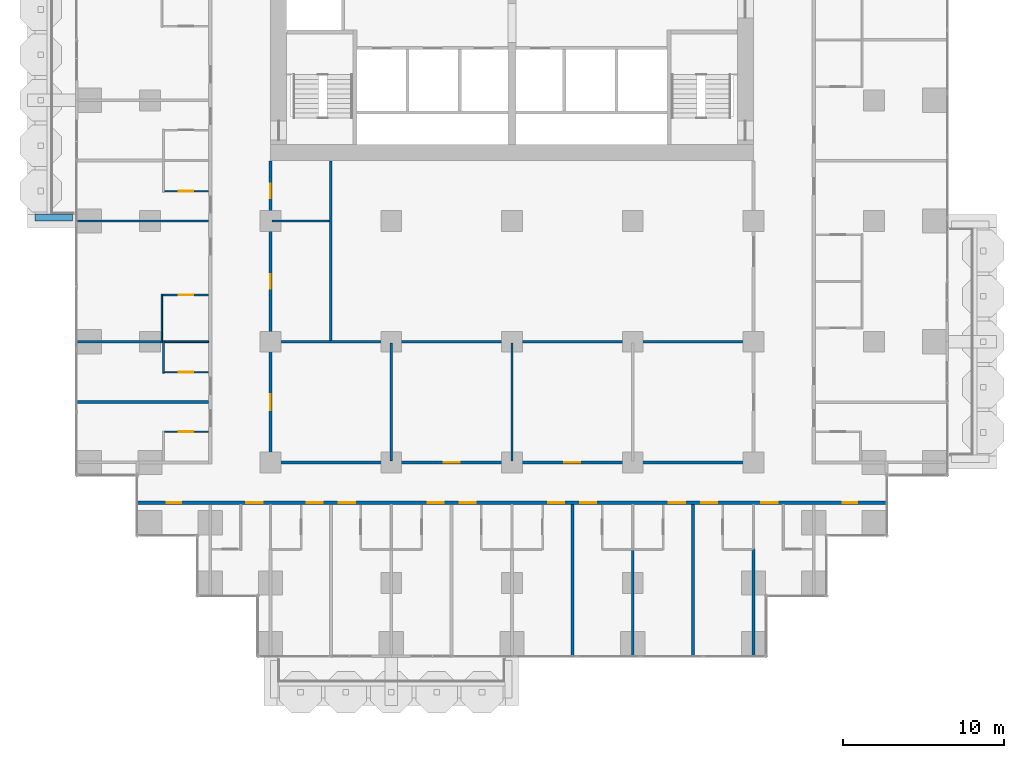
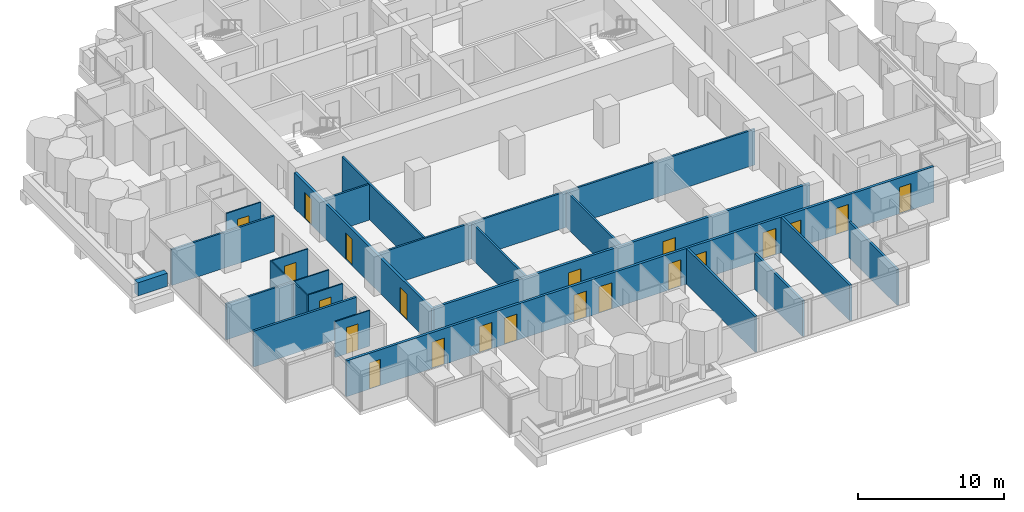
# One storey, part 11 of 19: 23 walls, 21 doors, 21 openings.
"""IFC4 building model written with IfcOpenShell, lengths in metres."""

from ifc_helpers import new_model, si_unit, direction, frame, frame_2d, origin, place, context, subcontext, project, spatial, rectangle, extrude, material, layer, layer_set, type_object, element, fill, save


model = new_model("IFC4")

# Units and contexts
model_context = context("Model", 3, precision=1e-05, world=origin(), true_north=direction((0.0, 1.0)))
body_context = subcontext(model_context, "Body", "Model", "MODEL_VIEW")
ifc_project = project(units=[si_unit("LENGTHUNIT", "METRE"), si_unit("AREAUNIT", "SQUARE_METRE"), si_unit("VOLUMEUNIT", "CUBIC_METRE"), si_unit("PLANEANGLEUNIT", "RADIAN"), si_unit("MASSUNIT", "GRAM", prefix="KILO")], contexts=[model_context])

# Site, building, storey
site_placement = place(None, origin())
site = spatial("IfcSite", under=ifc_project, at=site_placement, CompositionType="ELEMENT")
building_placement = place(site_placement, origin())
building = spatial("IfcBuilding", under=site, at=building_placement, Name="Pilkhan Gate Tower", CompositionType="ELEMENT")
storey_placement = place(building_placement, frame((0.0, 0.0, 89.0)))
storey = spatial("IfcBuildingStorey", under=building, at=storey_placement, Name="L21", CompositionType="ELEMENT", Elevation=89.0)

# Walls
ifc_material_1 = material(Name="Dense blockwork", Category="masonry")
ifc_layer_1 = layer(ifc_material_1, 0.175048828125)
ifc_layer_set_1 = layer_set([ifc_layer_1], Name="Acoustic party wall PW175")
wall_type_1 = type_object("IfcWallType", Name="Acoustic party wall PW175", PredefinedType="PARTITIONING", material=ifc_layer_set_1)
wall_1_placement = place(storey_placement, frame((47.985107421875, 56.25, 0.0), z_axis=(0.0, 0.0, 1.0), x_axis=(1.0, 0.0, 0.0)))
element("IfcWall", 1, at=wall_1_placement, inside=storey, type_object=wall_type_1, Name="Partition L21", PredefinedType="PARTITIONING", context=body_context, shape_type="SweptSolid", body=[
    extrude(rectangle(XDim=8.164794921875, YDim=0.175048828125, at=frame_2d((4.08251953125, 0.0))), origin(), (0.0, 0.0, 1.0), 3.0),
])
wall_2_placement = place(storey_placement, frame((78.75, 40.485107421875, 0.0), z_axis=(0.0, 0.0, 1.0), x_axis=(0.0, 1.0, 0.0)))
element("IfcWall", 2, at=wall_2_placement, inside=storey, type_object=wall_type_1, Name="Partition L21", PredefinedType="PARTITIONING", context=body_context, shape_type="SweptSolid", body=[
    extrude(rectangle(XDim=9.414794921875, YDim=0.175048828125, at=frame_2d((4.70751953125, 0.0))), origin(), (0.0, 0.0, 1.0), 3.0),
])
wall_3_placement = place(storey_placement, frame((82.5, 40.485107421875, 0.0), z_axis=(0.0, 0.0, 1.0), x_axis=(0.0, 1.0, 0.0)))
element("IfcWall", 3, at=wall_3_placement, inside=storey, type_object=wall_type_1, Name="Partition L21", PredefinedType="PARTITIONING", context=body_context, shape_type="SweptSolid", body=[
    extrude(rectangle(XDim=6.56494140625, YDim=0.175048828125, at=frame_2d((3.282470703125, 0.0))), origin(), (0.0, 0.0, 1.0), 3.0),
])
wall_4_placement = place(storey_placement, frame((86.25, 40.485107421875, 0.0), z_axis=(0.0, 0.0, 1.0), x_axis=(0.0, 1.0, 0.0)))
element("IfcWall", 4, at=wall_4_placement, inside=storey, type_object=wall_type_1, Name="Partition L21", PredefinedType="PARTITIONING", context=body_context, shape_type="SweptSolid", body=[
    extrude(rectangle(XDim=9.414794921875, YDim=0.175048828125, at=frame_2d((4.70751953125, 0.0))), origin(), (0.0, 0.0, 1.0), 3.0),
])
wall_5_placement = place(storey_placement, frame((90.0, 40.485107421875, 0.0), z_axis=(0.0, 0.0, 1.0), x_axis=(0.0, 1.0, 0.0)))
element("IfcWall", 5, at=wall_5_placement, inside=storey, type_object=wall_type_1, Name="Partition L21", PredefinedType="PARTITIONING", context=body_context, shape_type="SweptSolid", body=[
    extrude(rectangle(XDim=6.664794921875, YDim=0.175048828125, at=frame_2d((3.33251953125, 0.0))), origin(), (0.0, 0.0, 1.0), 3.0),
])
ifc_material_2 = material(Name="Board-marked Concrete C40/50", Category="concrete")
ifc_layer_2 = layer(ifc_material_2, 0.449951171875)
ifc_layer_set_2 = layer_set([ifc_layer_2], Name="Balcony planter lip BL450")
wall_type_2 = type_object("IfcWallType", Name="Balcony planter lip BL450", PredefinedType="USERDEFINED", material=ifc_layer_set_2)
wall_6_placement = place(storey_placement, frame((47.699951171875, 67.72509765625, 0.0), z_axis=(0.0, 0.0, 1.0), x_axis=(-1.0, 0.0, 0.0)))
element("IfcWall", 6, at=wall_6_placement, inside=storey, type_object=wall_type_2, Name="Balcony planter L21 W", ObjectType="BALCONY PLANTER", PredefinedType="USERDEFINED", context=body_context, shape_type="SweptSolid", body=[
    extrude(rectangle(XDim=2.349853515625, YDim=0.449951171875, at=frame_2d((1.1748046875, 0.0))), origin(), (0.0, 0.0, 1.0), 1.10009765625),
])

# Wall, openings, doors
ifc_layer_3 = layer(ifc_material_1, 0.199951171875)
ifc_layer_set_3 = layer_set([ifc_layer_3], Name="Corridor wall FW200")
wall_type_3 = type_object("IfcWallType", Name="Corridor wall FW200", PredefinedType="PARTITIONING", material=ifc_layer_set_3)
wall_7_placement = place(storey_placement, frame((51.735107421875, 50.0, 0.0), z_axis=(0.0, 0.0, 1.0), x_axis=(1.0, 0.0, 0.0)))
wall_7 = element("IfcWall", 7, at=wall_7_placement, inside=storey, type_object=wall_type_3, Name="Partition L21", PredefinedType="PARTITIONING", context=body_context, shape_type="SweptSolid", body=[
    extrude(rectangle(XDim=46.52978515625, YDim=0.199951171875, at=frame_2d((23.264892578125, 0.0))), origin(), (0.0, 0.0, 1.0), 3.0),
])
opening_1_placement = place(wall_7_placement, frame((6.764892578125, 0.0, 0.0)))
opening_1 = element("IfcOpeningElement", 8, at=opening_1_placement, cuts=wall_7, Name="Opening L21-06", PredefinedType="OPENING", context=body_context, shape_type="SweptSolid", body=[
    extrude(rectangle(XDim=1.0, YDim=2.199951171875, at=frame_2d((0.5, 1.10009765625))), frame((0.0, 0.10986328125, 0.0), z_axis=(0.0, -1.0, 0.0), x_axis=(1.0, 0.0, 0.0)), (0.0, 0.0, 1.0), 0.219970703125),
])
opening_2_placement = place(wall_7_placement, frame((10.514892578125, 0.0, 0.0)))
opening_2 = element("IfcOpeningElement", 9, at=opening_2_placement, cuts=wall_7, Name="Opening L21-08", PredefinedType="OPENING", context=body_context, shape_type="SweptSolid", body=[
    extrude(rectangle(XDim=1.0, YDim=2.199951171875, at=frame_2d((0.5, 1.10009765625))), frame((0.0, 0.10986328125, 0.0), z_axis=(0.0, -1.0, 0.0), x_axis=(1.0, 0.0, 0.0)), (0.0, 0.0, 1.0), 0.219970703125),
])
opening_3_placement = place(wall_7_placement, frame((12.514892578125, 0.0, 0.0)))
opening_3 = element("IfcOpeningElement", 10, at=opening_3_placement, cuts=wall_7, Name="Opening L21-10", PredefinedType="OPENING", context=body_context, shape_type="SweptSolid", body=[
    extrude(rectangle(XDim=1.0, YDim=2.199951171875, at=frame_2d((0.5, 1.10009765625))), frame((0.0, 0.10986328125, 0.0), z_axis=(0.0, -1.0, 0.0), x_axis=(1.0, 0.0, 0.0)), (0.0, 0.0, 1.0), 0.219970703125),
])
opening_4_placement = place(wall_7_placement, frame((18.014892578125, 0.0, 0.0)))
opening_4 = element("IfcOpeningElement", 11, at=opening_4_placement, cuts=wall_7, Name="Opening L21-12", PredefinedType="OPENING", context=body_context, shape_type="SweptSolid", body=[
    extrude(rectangle(XDim=1.0, YDim=2.199951171875, at=frame_2d((0.5, 1.10009765625))), frame((0.0, 0.10986328125, 0.0), z_axis=(0.0, -1.0, 0.0), x_axis=(1.0, 0.0, 0.0)), (0.0, 0.0, 1.0), 0.219970703125),
])
opening_5_placement = place(wall_7_placement, frame((20.014892578125, 0.0, 0.0)))
opening_5 = element("IfcOpeningElement", 12, at=opening_5_placement, cuts=wall_7, Name="Opening L21-14", PredefinedType="OPENING", context=body_context, shape_type="SweptSolid", body=[
    extrude(rectangle(XDim=1.0, YDim=2.199951171875, at=frame_2d((0.5, 1.10009765625))), frame((0.0, 0.10986328125, 0.0), z_axis=(0.0, -1.0, 0.0), x_axis=(1.0, 0.0, 0.0)), (0.0, 0.0, 1.0), 0.219970703125),
])
opening_6_placement = place(wall_7_placement, frame((25.514892578125, 0.0, 0.0)))
opening_6 = element("IfcOpeningElement", 13, at=opening_6_placement, cuts=wall_7, Name="Opening L21-16", PredefinedType="OPENING", context=body_context, shape_type="SweptSolid", body=[
    extrude(rectangle(XDim=1.0, YDim=2.199951171875, at=frame_2d((0.5, 1.10009765625))), frame((0.0, 0.10986328125, 0.0), z_axis=(0.0, -1.0, 0.0), x_axis=(1.0, 0.0, 0.0)), (0.0, 0.0, 1.0), 0.219970703125),
])
opening_7_placement = place(wall_7_placement, frame((27.514892578125, 0.0, 0.0)))
opening_7 = element("IfcOpeningElement", 14, at=opening_7_placement, cuts=wall_7, Name="Opening L21-18", PredefinedType="OPENING", context=body_context, shape_type="SweptSolid", body=[
    extrude(rectangle(XDim=1.0, YDim=2.199951171875, at=frame_2d((0.5, 1.10009765625))), frame((0.0, 0.10986328125, 0.0), z_axis=(0.0, -1.0, 0.0), x_axis=(1.0, 0.0, 0.0)), (0.0, 0.0, 1.0), 0.219970703125),
])
opening_8_placement = place(wall_7_placement, frame((33.014892578125, 0.0, 0.0)))
opening_8 = element("IfcOpeningElement", 15, at=opening_8_placement, cuts=wall_7, Name="Opening L21-20", PredefinedType="OPENING", context=body_context, shape_type="SweptSolid", body=[
    extrude(rectangle(XDim=1.0, YDim=2.199951171875, at=frame_2d((0.5, 1.10009765625))), frame((0.0, 0.10986328125, 0.0), z_axis=(0.0, -1.0, 0.0), x_axis=(1.0, 0.0, 0.0)), (0.0, 0.0, 1.0), 0.219970703125),
])
opening_9_placement = place(wall_7_placement, frame((35.014892578125, 0.0, 0.0)))
opening_9 = element("IfcOpeningElement", 16, at=opening_9_placement, cuts=wall_7, Name="Opening L21-22", PredefinedType="OPENING", context=body_context, shape_type="SweptSolid", body=[
    extrude(rectangle(XDim=1.0, YDim=2.199951171875, at=frame_2d((0.5, 1.10009765625))), frame((0.0, 0.10986328125, 0.0), z_axis=(0.0, -1.0, 0.0), x_axis=(1.0, 0.0, 0.0)), (0.0, 0.0, 1.0), 0.219970703125),
])
opening_10_placement = place(wall_7_placement, frame((38.764892578125, 0.0, 0.0)))
opening_10 = element("IfcOpeningElement", 17, at=opening_10_placement, cuts=wall_7, Name="Opening L21-24", PredefinedType="OPENING", context=body_context, shape_type="SweptSolid", body=[
    extrude(rectangle(XDim=1.0, YDim=2.199951171875, at=frame_2d((0.5, 1.10009765625))), frame((0.0, 0.10986328125, 0.0), z_axis=(0.0, -1.0, 0.0), x_axis=(1.0, 0.0, 0.0)), (0.0, 0.0, 1.0), 0.219970703125),
])
opening_11_placement = place(wall_7_placement, frame((1.800048828125, 0.0, 0.0)))
opening_11 = element("IfcOpeningElement", 18, at=opening_11_placement, cuts=wall_7, Name="Opening L21-54", PredefinedType="OPENING", context=body_context, shape_type="SweptSolid", body=[
    extrude(rectangle(XDim=0.89990234375, YDim=2.199951171875, at=frame_2d((0.449951171875, 1.10009765625))), frame((0.0, 0.10986328125, 0.0), z_axis=(0.0, -1.0, 0.0), x_axis=(1.0, 0.0, 0.0)), (0.0, 0.0, 1.0), 0.219970703125),
])
opening_12_placement = place(wall_7_placement, frame((43.81494140625, 0.0, 0.0)))
opening_12 = element("IfcOpeningElement", 19, at=opening_12_placement, cuts=wall_7, Name="Opening L21-55", PredefinedType="OPENING", context=body_context, shape_type="SweptSolid", body=[
    extrude(rectangle(XDim=0.89990234375, YDim=2.199951171875, at=frame_2d((0.449951171875, 1.10009765625))), frame((0.0, 0.10986328125, 0.0), z_axis=(0.0, -1.0, 0.0), x_axis=(1.0, 0.0, 0.0)), (0.0, 0.0, 1.0), 0.219970703125),
])
ifc_material_3 = material(Name="Timber flush door, 30 minute fire resisting", Category="wood")
door_type_1 = type_object("IfcDoorType", Name="Guest room door D01 1000x2200", OperationType="SINGLE_SWING_LEFT", PredefinedType="DOOR", material=ifc_material_3)
door_1_placement = place(opening_1_placement, origin())
door_1 = element("IfcDoor", 20, at=door_1_placement, inside=storey, type_object=door_type_1, Name="Guest room door", OperationType="SINGLE_SWING_LEFT", OverallHeight=2.199951171875, OverallWidth=1.0, PredefinedType="DOOR", context=body_context, shape_type="SweptSolid", body=[
    extrude(rectangle(XDim=1.0, YDim=2.199951171875, at=frame_2d((0.5, 1.10009765625))), frame((0.0, 0.02490234375, 0.0), z_axis=(0.0, -1.0, 0.0), x_axis=(1.0, 0.0, 0.0)), (0.0, 0.0, 1.0), 0.050048828125),
])
fill(opening_1, door_1)
door_2_placement = place(opening_2_placement, origin())
door_2 = element("IfcDoor", 21, at=door_2_placement, inside=storey, type_object=door_type_1, Name="Guest room door", OperationType="SINGLE_SWING_LEFT", OverallHeight=2.199951171875, OverallWidth=1.0, PredefinedType="DOOR", context=body_context, shape_type="SweptSolid", body=[
    extrude(rectangle(XDim=1.0, YDim=2.199951171875, at=frame_2d((0.5, 1.10009765625))), frame((0.0, 0.02490234375, 0.0), z_axis=(0.0, -1.0, 0.0), x_axis=(1.0, 0.0, 0.0)), (0.0, 0.0, 1.0), 0.050048828125),
])
fill(opening_2, door_2)
door_3_placement = place(opening_3_placement, origin())
door_3 = element("IfcDoor", 22, at=door_3_placement, inside=storey, type_object=door_type_1, Name="Guest room door", OperationType="SINGLE_SWING_RIGHT", OverallHeight=2.199951171875, OverallWidth=1.0, PredefinedType="DOOR", context=body_context, shape_type="SweptSolid", body=[
    extrude(rectangle(XDim=1.0, YDim=2.199951171875, at=frame_2d((0.5, 1.10009765625))), frame((0.0, 0.02490234375, 0.0), z_axis=(0.0, -1.0, 0.0), x_axis=(1.0, 0.0, 0.0)), (0.0, 0.0, 1.0), 0.050048828125),
])
fill(opening_3, door_3)
door_4_placement = place(opening_4_placement, origin())
door_4 = element("IfcDoor", 23, at=door_4_placement, inside=storey, type_object=door_type_1, Name="Guest room door", OperationType="SINGLE_SWING_LEFT", OverallHeight=2.199951171875, OverallWidth=1.0, PredefinedType="DOOR", context=body_context, shape_type="SweptSolid", body=[
    extrude(rectangle(XDim=1.0, YDim=2.199951171875, at=frame_2d((0.5, 1.10009765625))), frame((0.0, 0.02490234375, 0.0), z_axis=(0.0, -1.0, 0.0), x_axis=(1.0, 0.0, 0.0)), (0.0, 0.0, 1.0), 0.050048828125),
])
fill(opening_4, door_4)
door_5_placement = place(opening_5_placement, origin())
door_5 = element("IfcDoor", 24, at=door_5_placement, inside=storey, type_object=door_type_1, Name="Guest room door", OperationType="SINGLE_SWING_RIGHT", OverallHeight=2.199951171875, OverallWidth=1.0, PredefinedType="DOOR", context=body_context, shape_type="SweptSolid", body=[
    extrude(rectangle(XDim=1.0, YDim=2.199951171875, at=frame_2d((0.5, 1.10009765625))), frame((0.0, 0.02490234375, 0.0), z_axis=(0.0, -1.0, 0.0), x_axis=(1.0, 0.0, 0.0)), (0.0, 0.0, 1.0), 0.050048828125),
])
fill(opening_5, door_5)
door_6_placement = place(opening_6_placement, origin())
door_6 = element("IfcDoor", 25, at=door_6_placement, inside=storey, type_object=door_type_1, Name="Guest room door", OperationType="SINGLE_SWING_RIGHT", OverallHeight=2.199951171875, OverallWidth=1.0, PredefinedType="DOOR", context=body_context, shape_type="SweptSolid", body=[
    extrude(rectangle(XDim=1.0, YDim=2.199951171875, at=frame_2d((0.5, 1.10009765625))), frame((0.0, 0.02490234375, 0.0), z_axis=(0.0, -1.0, 0.0), x_axis=(1.0, 0.0, 0.0)), (0.0, 0.0, 1.0), 0.050048828125),
])
fill(opening_6, door_6)
door_7_placement = place(opening_7_placement, origin())
door_7 = element("IfcDoor", 26, at=door_7_placement, inside=storey, type_object=door_type_1, Name="Guest room door", OperationType="SINGLE_SWING_RIGHT", OverallHeight=2.199951171875, OverallWidth=1.0, PredefinedType="DOOR", context=body_context, shape_type="SweptSolid", body=[
    extrude(rectangle(XDim=1.0, YDim=2.199951171875, at=frame_2d((0.5, 1.10009765625))), frame((0.0, 0.02490234375, 0.0), z_axis=(0.0, -1.0, 0.0), x_axis=(1.0, 0.0, 0.0)), (0.0, 0.0, 1.0), 0.050048828125),
])
fill(opening_7, door_7)
door_8_placement = place(opening_8_placement, origin())
door_8 = element("IfcDoor", 27, at=door_8_placement, inside=storey, type_object=door_type_1, Name="Guest room door", OperationType="SINGLE_SWING_RIGHT", OverallHeight=2.199951171875, OverallWidth=1.0, PredefinedType="DOOR", context=body_context, shape_type="SweptSolid", body=[
    extrude(rectangle(XDim=1.0, YDim=2.199951171875, at=frame_2d((0.5, 1.10009765625))), frame((0.0, 0.02490234375, 0.0), z_axis=(0.0, -1.0, 0.0), x_axis=(1.0, 0.0, 0.0)), (0.0, 0.0, 1.0), 0.050048828125),
])
fill(opening_8, door_8)
door_9_placement = place(opening_9_placement, origin())
door_9 = element("IfcDoor", 28, at=door_9_placement, inside=storey, type_object=door_type_1, Name="Guest room door", OperationType="SINGLE_SWING_LEFT", OverallHeight=2.199951171875, OverallWidth=1.0, PredefinedType="DOOR", context=body_context, shape_type="SweptSolid", body=[
    extrude(rectangle(XDim=1.0, YDim=2.199951171875, at=frame_2d((0.5, 1.10009765625))), frame((0.0, 0.02490234375, 0.0), z_axis=(0.0, -1.0, 0.0), x_axis=(1.0, 0.0, 0.0)), (0.0, 0.0, 1.0), 0.050048828125),
])
fill(opening_9, door_9)
door_10_placement = place(opening_10_placement, origin())
door_10 = element("IfcDoor", 29, at=door_10_placement, inside=storey, type_object=door_type_1, Name="Guest room door", OperationType="SINGLE_SWING_LEFT", OverallHeight=2.199951171875, OverallWidth=1.0, PredefinedType="DOOR", context=body_context, shape_type="SweptSolid", body=[
    extrude(rectangle(XDim=1.0, YDim=2.199951171875, at=frame_2d((0.5, 1.10009765625))), frame((0.0, 0.02490234375, 0.0), z_axis=(0.0, -1.0, 0.0), x_axis=(1.0, 0.0, 0.0)), (0.0, 0.0, 1.0), 0.050048828125),
])
fill(opening_10, door_10)
ifc_material_4 = material(Name="Timber flush door, 60 minute fire resisting, self-closing", Category="wood")
door_type_2 = type_object("IfcDoorType", Name="Store door D05 900x2200", OperationType="SINGLE_SWING_LEFT", PredefinedType="DOOR", material=ifc_material_4)
door_11_placement = place(opening_11_placement, origin())
door_11 = element("IfcDoor", 30, at=door_11_placement, inside=storey, type_object=door_type_2, Name="Store door", OperationType="SINGLE_SWING_RIGHT", OverallHeight=2.199951171875, OverallWidth=0.89990234375, PredefinedType="DOOR", context=body_context, shape_type="SweptSolid", body=[
    extrude(rectangle(XDim=0.89990234375, YDim=2.199951171875, at=frame_2d((0.449951171875, 1.10009765625))), frame((0.0, 0.02490234375, 0.0), z_axis=(0.0, -1.0, 0.0), x_axis=(1.0, 0.0, 0.0)), (0.0, 0.0, 1.0), 0.050048828125),
])
fill(opening_11, door_11)
door_12_placement = place(opening_12_placement, origin())
door_12 = element("IfcDoor", 31, at=door_12_placement, inside=storey, type_object=door_type_2, Name="Store door", OperationType="SINGLE_SWING_LEFT", OverallHeight=2.199951171875, OverallWidth=0.89990234375, PredefinedType="DOOR", context=body_context, shape_type="SweptSolid", body=[
    extrude(rectangle(XDim=0.89990234375, YDim=2.199951171875, at=frame_2d((0.449951171875, 1.10009765625))), frame((0.0, 0.02490234375, 0.0), z_axis=(0.0, -1.0, 0.0), x_axis=(1.0, 0.0, 0.0)), (0.0, 0.0, 1.0), 0.050048828125),
])
fill(opening_12, door_12)

wall_8_placement = place(storey_placement, frame((60.10009765625, 52.5, 0.0), z_axis=(0.0, 0.0, 1.0), x_axis=(1.0, 0.0, 0.0)))
wall_8 = element("IfcWall", 32, at=wall_8_placement, inside=storey, type_object=wall_type_3, Name="Partition L21", PredefinedType="PARTITIONING", context=body_context, shape_type="SweptSolid", body=[
    extrude(rectangle(XDim=29.7998046875, YDim=0.199951171875, at=frame_2d((14.89990234375, 0.0))), origin(), (0.0, 0.0, 1.0), 3.0),
])
opening_13_placement = place(wall_8_placement, frame((10.64990234375, 0.0, 0.0)))
opening_13 = element("IfcOpeningElement", 33, at=opening_13_placement, cuts=wall_8, Name="Opening L21-60", PredefinedType="OPENING", context=body_context, shape_type="SweptSolid", body=[
    extrude(rectangle(XDim=1.0, YDim=2.199951171875, at=frame_2d((0.5, 1.10009765625))), frame((0.0, 0.10986328125, 0.0), z_axis=(0.0, -1.0, 0.0), x_axis=(1.0, 0.0, 0.0)), (0.0, 0.0, 1.0), 0.219970703125),
])
opening_14_placement = place(wall_8_placement, frame((18.14990234375, 0.0, 0.0)))
opening_14 = element("IfcOpeningElement", 34, at=opening_14_placement, cuts=wall_8, Name="Opening L21-61", PredefinedType="OPENING", context=body_context, shape_type="SweptSolid", body=[
    extrude(rectangle(XDim=1.0, YDim=2.199951171875, at=frame_2d((0.5, 1.10009765625))), frame((0.0, 0.10986328125, 0.0), z_axis=(0.0, -1.0, 0.0), x_axis=(1.0, 0.0, 0.0)), (0.0, 0.0, 1.0), 0.219970703125),
])
door_type_3 = type_object("IfcDoorType", Name="Room door D03 1000x2200", OperationType="SINGLE_SWING_LEFT", PredefinedType="DOOR", material=ifc_material_3)
door_13_placement = place(opening_13_placement, origin())
door_13 = element("IfcDoor", 35, at=door_13_placement, inside=storey, type_object=door_type_3, Name="Room door", OperationType="SINGLE_SWING_LEFT", OverallHeight=2.199951171875, OverallWidth=1.0, PredefinedType="DOOR", context=body_context, shape_type="SweptSolid", body=[
    extrude(rectangle(XDim=1.0, YDim=2.199951171875, at=frame_2d((0.5, 1.10009765625))), frame((0.0, 0.02490234375, 0.0), z_axis=(0.0, -1.0, 0.0), x_axis=(1.0, 0.0, 0.0)), (0.0, 0.0, 1.0), 0.050048828125),
])
fill(opening_13, door_13)
door_14_placement = place(opening_14_placement, origin())
door_14 = element("IfcDoor", 36, at=door_14_placement, inside=storey, type_object=door_type_3, Name="Room door", OperationType="SINGLE_SWING_RIGHT", OverallHeight=2.199951171875, OverallWidth=1.0, PredefinedType="DOOR", context=body_context, shape_type="SweptSolid", body=[
    extrude(rectangle(XDim=1.0, YDim=2.199951171875, at=frame_2d((0.5, 1.10009765625))), frame((0.0, 0.02490234375, 0.0), z_axis=(0.0, -1.0, 0.0), x_axis=(1.0, 0.0, 0.0)), (0.0, 0.0, 1.0), 0.050048828125),
])
fill(opening_14, door_14)

wall_9_placement = place(storey_placement, frame((60.0, 52.39990234375, 0.0), z_axis=(0.0, 0.0, 1.0), x_axis=(0.0, 1.0, 0.0)))
wall_9 = element("IfcWall", 37, at=wall_9_placement, inside=storey, type_object=wall_type_3, Name="Partition L21", PredefinedType="PARTITIONING", context=body_context, shape_type="SweptSolid", body=[
    extrude(rectangle(XDim=18.840087890625, YDim=0.199951171875, at=frame_2d((9.419921875, 0.0))), origin(), (0.0, 0.0, 1.0), 3.0),
])
opening_15_placement = place(wall_9_placement, frame((3.35009765625, 0.0, 0.0)))
opening_15 = element("IfcOpeningElement", 38, at=opening_15_placement, cuts=wall_9, Name="Opening L21-59", PredefinedType="OPENING", context=body_context, shape_type="SweptSolid", body=[
    extrude(rectangle(XDim=1.0, YDim=2.199951171875, at=frame_2d((0.5, 1.10009765625))), frame((0.0, 0.10986328125, 0.0), z_axis=(0.0, -1.0, 0.0), x_axis=(1.0, 0.0, 0.0)), (0.0, 0.0, 1.0), 0.219970703125),
])
opening_16_placement = place(wall_9_placement, frame((10.89990234375, 0.0, 0.0)))
opening_16 = element("IfcOpeningElement", 39, at=opening_16_placement, cuts=wall_9, Name="Opening L21-63", PredefinedType="OPENING", context=body_context, shape_type="SweptSolid", body=[
    extrude(rectangle(XDim=0.89990234375, YDim=2.199951171875, at=frame_2d((0.449951171875, 1.10009765625))), frame((0.0, 0.10986328125, 0.0), z_axis=(0.0, -1.0, 0.0), x_axis=(1.0, 0.0, 0.0)), (0.0, 0.0, 1.0), 0.219970703125),
])
opening_17_placement = place(wall_9_placement, frame((16.5, 0.0, 0.0)))
opening_17 = element("IfcOpeningElement", 40, at=opening_17_placement, cuts=wall_9, Name="Opening L21-64", PredefinedType="OPENING", context=body_context, shape_type="SweptSolid", body=[
    extrude(rectangle(XDim=0.89990234375, YDim=2.199951171875, at=frame_2d((0.449951171875, 1.10009765625))), frame((0.0, 0.10986328125, 0.0), z_axis=(0.0, -1.0, 0.0), x_axis=(1.0, 0.0, 0.0)), (0.0, 0.0, 1.0), 0.219970703125),
])
door_15_placement = place(opening_15_placement, origin())
door_15 = element("IfcDoor", 41, at=door_15_placement, inside=storey, type_object=door_type_3, Name="Room door", OperationType="SINGLE_SWING_RIGHT", OverallHeight=2.199951171875, OverallWidth=1.0, PredefinedType="DOOR", context=body_context, shape_type="SweptSolid", body=[
    extrude(rectangle(XDim=1.0, YDim=2.199951171875, at=frame_2d((0.5, 1.10009765625))), frame((0.0, 0.02490234375, 0.0), z_axis=(0.0, -1.0, 0.0), x_axis=(1.0, 0.0, 0.0)), (0.0, 0.0, 1.0), 0.050048828125),
])
fill(opening_15, door_15)
door_16_placement = place(opening_16_placement, origin())
door_16 = element("IfcDoor", 42, at=door_16_placement, inside=storey, type_object=door_type_2, Name="Store door", OperationType="SINGLE_SWING_LEFT", OverallHeight=2.199951171875, OverallWidth=0.89990234375, PredefinedType="DOOR", context=body_context, shape_type="SweptSolid", body=[
    extrude(rectangle(XDim=0.89990234375, YDim=2.199951171875, at=frame_2d((0.449951171875, 1.10009765625))), frame((0.0, 0.02490234375, 0.0), z_axis=(0.0, -1.0, 0.0), x_axis=(1.0, 0.0, 0.0)), (0.0, 0.0, 1.0), 0.050048828125),
])
fill(opening_16, door_16)
door_17_placement = place(opening_17_placement, origin())
door_17 = element("IfcDoor", 43, at=door_17_placement, inside=storey, type_object=door_type_2, Name="Store door", OperationType="SINGLE_SWING_LEFT", OverallHeight=2.199951171875, OverallWidth=0.89990234375, PredefinedType="DOOR", context=body_context, shape_type="SweptSolid", body=[
    extrude(rectangle(XDim=0.89990234375, YDim=2.199951171875, at=frame_2d((0.449951171875, 1.10009765625))), frame((0.0, 0.02490234375, 0.0), z_axis=(0.0, -1.0, 0.0), x_axis=(1.0, 0.0, 0.0)), (0.0, 0.0, 1.0), 0.050048828125),
])
fill(opening_17, door_17)

# Walls
ifc_material_5 = material(Name="Blockwork partition, plastered both sides", Category="masonry")
ifc_layer_4 = layer(ifc_material_5, 0.14990234375)
ifc_layer_set_4 = layer_set([ifc_layer_4], Name="Partition PW150")
wall_type_4 = type_object("IfcWallType", Name="Partition PW150", PredefinedType="PARTITIONING", material=ifc_layer_set_4)
wall_10_placement = place(storey_placement, frame((47.985107421875, 60.0, 0.0), z_axis=(0.0, 0.0, 1.0), x_axis=(1.0, 0.0, 0.0)))
element("IfcWall", 44, at=wall_10_placement, inside=storey, type_object=wall_type_4, Name="Partition L21", PredefinedType="PARTITIONING", context=body_context, shape_type="SweptSolid", body=[
    extrude(rectangle(XDim=5.21484375, YDim=0.14990234375, at=frame_2d((2.607421875, 0.0))), origin(), (0.0, 0.0, 1.0), 3.0),
])
wall_11_placement = place(storey_placement, frame((60.10009765625, 60.0, 0.0), z_axis=(0.0, 0.0, 1.0), x_axis=(1.0, 0.0, 0.0)))
element("IfcWall", 45, at=wall_11_placement, inside=storey, type_object=wall_type_4, Name="Partition L21", PredefinedType="PARTITIONING", context=body_context, shape_type="SweptSolid", body=[
    extrude(rectangle(XDim=29.7998046875, YDim=0.14990234375, at=frame_2d((14.89990234375, 0.0))), origin(), (0.0, 0.0, 1.0), 3.0),
])
wall_12_placement = place(storey_placement, frame((47.985107421875, 67.5, 0.0), z_axis=(0.0, 0.0, 1.0), x_axis=(1.0, 0.0, 0.0)))
element("IfcWall", 46, at=wall_12_placement, inside=storey, type_object=wall_type_4, Name="Partition L21", PredefinedType="PARTITIONING", context=body_context, shape_type="SweptSolid", body=[
    extrude(rectangle(XDim=8.164794921875, YDim=0.14990234375, at=frame_2d((4.08251953125, 0.0))), origin(), (0.0, 0.0, 1.0), 3.0),
])
wall_13_placement = place(storey_placement, frame((60.10009765625, 67.5, 0.0), z_axis=(0.0, 0.0, 1.0), x_axis=(1.0, 0.0, 0.0)))
element("IfcWall", 47, at=wall_13_placement, inside=storey, type_object=wall_type_4, Name="Partition L21", PredefinedType="PARTITIONING", context=body_context, shape_type="SweptSolid", body=[
    extrude(rectangle(XDim=3.574951171875, YDim=0.14990234375, at=frame_2d((1.78759765625, 0.0))), origin(), (0.0, 0.0, 1.0), 3.0),
])
wall_14_placement = place(storey_placement, frame((63.75, 60.074951171875, 0.0), z_axis=(0.0, 0.0, 1.0), x_axis=(0.0, 1.0, 0.0)))
element("IfcWall", 48, at=wall_14_placement, inside=storey, type_object=wall_type_4, Name="Partition L21", PredefinedType="PARTITIONING", context=body_context, shape_type="SweptSolid", body=[
    extrude(rectangle(XDim=11.1650390625, YDim=0.14990234375, at=frame_2d((5.58251953125, 0.0))), origin(), (0.0, 0.0, 1.0), 3.0),
])
for number, where, z_axis, x_axis, name in (
    (49, (67.5, 52.60009765625, 0.0), (0.0, 0.0, 1.0), (0.0, 1.0, 0.0), "Partition L21"),
    (50, (75.0, 52.60009765625, 0.0), (0.0, 0.0, 1.0), (0.0, 1.0, 0.0), "Partition L21"),
):
    element("IfcWall", number, at=place(storey_placement, frame(where, z_axis=z_axis, x_axis=x_axis)), inside=storey, type_object=wall_type_4, Name=name, PredefinedType="PARTITIONING", context=body_context, shape_type="SweptSolid", body=[
        extrude(rectangle(XDim=7.324951171875, YDim=0.14990234375, at=frame_2d((3.66259765625, 0.0))), origin(), (0.0, 0.0, 1.0), 3.0),
    ])

# Wall, opening, door
ifc_material_6 = material(Name="Moisture resistant board, tiled")
ifc_layer_5 = layer(ifc_material_6, 0.10009765625)
ifc_layer_set_5 = layer_set([ifc_layer_5], Name="Wet wall PW100")
wall_type_5 = type_object("IfcWallType", Name="Wet wall PW100", PredefinedType="PARTITIONING", material=ifc_layer_set_5)
wall_15_placement = place(storey_placement, frame((53.39990234375, 54.39990234375, 0.0), z_axis=(0.0, 0.0, 1.0), x_axis=(1.0, 0.0, 0.0)))
wall_15 = element("IfcWall", 51, at=wall_15_placement, inside=storey, type_object=wall_type_5, Name="Partition L21", PredefinedType="PARTITIONING", context=body_context, shape_type="SweptSolid", body=[
    extrude(rectangle(XDim=2.75, YDim=0.10009765625, at=frame_2d((1.375, 0.0))), origin(), (0.0, 0.0, 1.0), 3.0),
])
opening_18_placement = place(wall_15_placement, frame((0.89990234375, 0.0, 0.0)))
opening_18 = element("IfcOpeningElement", 52, at=opening_18_placement, cuts=wall_15, Name="Opening L21-27", PredefinedType="OPENING", context=body_context, shape_type="SweptSolid", body=[
    extrude(rectangle(XDim=0.89990234375, YDim=2.199951171875, at=frame_2d((0.449951171875, 1.10009765625))), frame((0.0, 0.06005859375, 0.0), z_axis=(0.0, -1.0, 0.0), x_axis=(1.0, 0.0, 0.0)), (0.0, 0.0, 1.0), 0.1201171875),
])
ifc_material_7 = material(Name="Timber flush door", Category="wood")
door_type_4 = type_object("IfcDoorType", Name="Bathroom door D02 900x2200", OperationType="SINGLE_SWING_RIGHT", PredefinedType="DOOR", material=ifc_material_7)
door_18_placement = place(opening_18_placement, origin())
door_18 = element("IfcDoor", 53, at=door_18_placement, inside=storey, type_object=door_type_4, Name="Bathroom door", OperationType="SINGLE_SWING_RIGHT", OverallHeight=2.199951171875, OverallWidth=0.89990234375, PredefinedType="DOOR", context=body_context, shape_type="SweptSolid", body=[
    extrude(rectangle(XDim=0.89990234375, YDim=2.199951171875, at=frame_2d((0.449951171875, 1.10009765625))), frame((0.0, 0.02490234375, 0.0), z_axis=(0.0, -1.0, 0.0), x_axis=(1.0, 0.0, 0.0)), (0.0, 0.0, 1.0), 0.050048828125),
])
fill(opening_18, door_18)

wall_16_placement = place(storey_placement, frame((53.39990234375, 58.10009765625, 0.0), z_axis=(0.0, 0.0, 1.0), x_axis=(1.0, 0.0, 0.0)))
wall_16 = element("IfcWall", 54, at=wall_16_placement, inside=storey, type_object=wall_type_5, Name="Partition L21", PredefinedType="PARTITIONING", context=body_context, shape_type="SweptSolid", body=[
    extrude(rectangle(XDim=2.75, YDim=0.10009765625, at=frame_2d((1.375, 0.0))), origin(), (0.0, 0.0, 1.0), 3.0),
])
opening_19_placement = place(wall_16_placement, frame((0.89990234375, 0.0, 0.0)))
opening_19 = element("IfcOpeningElement", 55, at=opening_19_placement, cuts=wall_16, Name="Opening L21-29", PredefinedType="OPENING", context=body_context, shape_type="SweptSolid", body=[
    extrude(rectangle(XDim=0.89990234375, YDim=2.199951171875, at=frame_2d((0.449951171875, 1.10009765625))), frame((0.0, 0.06005859375, 0.0), z_axis=(0.0, -1.0, 0.0), x_axis=(1.0, 0.0, 0.0)), (0.0, 0.0, 1.0), 0.1201171875),
])
door_19_placement = place(opening_19_placement, origin())
door_19 = element("IfcDoor", 56, at=door_19_placement, inside=storey, type_object=door_type_4, Name="Bathroom door", OperationType="SINGLE_SWING_RIGHT", OverallHeight=2.199951171875, OverallWidth=0.89990234375, PredefinedType="DOOR", context=body_context, shape_type="SweptSolid", body=[
    extrude(rectangle(XDim=0.89990234375, YDim=2.199951171875, at=frame_2d((0.449951171875, 1.10009765625))), frame((0.0, 0.02490234375, 0.0), z_axis=(0.0, -1.0, 0.0), x_axis=(1.0, 0.0, 0.0)), (0.0, 0.0, 1.0), 0.050048828125),
])
fill(opening_19, door_19)

# Wall
wall_17_placement = place(storey_placement, frame((53.39990234375, 60.0, 0.0), z_axis=(0.0, 0.0, 1.0), x_axis=(1.0, 0.0, 0.0)))
element("IfcWall", 57, at=wall_17_placement, inside=storey, type_object=wall_type_5, Name="Partition L21", PredefinedType="PARTITIONING", context=body_context, shape_type="SweptSolid", body=[
    extrude(rectangle(XDim=2.75, YDim=0.10009765625, at=frame_2d((1.375, 0.0))), origin(), (0.0, 0.0, 1.0), 3.0),
])

# Wall, opening, door
wall_18_placement = place(storey_placement, frame((53.300048828125, 62.89990234375, 0.0), z_axis=(0.0, 0.0, 1.0), x_axis=(1.0, 0.0, 0.0)))
wall_18 = element("IfcWall", 58, at=wall_18_placement, inside=storey, type_object=wall_type_5, Name="Partition L21", PredefinedType="PARTITIONING", context=body_context, shape_type="SweptSolid", body=[
    extrude(rectangle(XDim=2.849853515625, YDim=0.10009765625, at=frame_2d((1.4248046875, 0.0))), origin(), (0.0, 0.0, 1.0), 3.0),
])
opening_20_placement = place(wall_18_placement, frame((1.0, 0.0, 0.0)))
opening_20 = element("IfcOpeningElement", 59, at=opening_20_placement, cuts=wall_18, Name="Opening L21-31", PredefinedType="OPENING", context=body_context, shape_type="SweptSolid", body=[
    extrude(rectangle(XDim=0.89990234375, YDim=2.199951171875, at=frame_2d((0.449951171875, 1.10009765625))), frame((0.0, 0.06005859375, 0.0), z_axis=(0.0, -1.0, 0.0), x_axis=(1.0, 0.0, 0.0)), (0.0, 0.0, 1.0), 0.1201171875),
])
door_20_placement = place(opening_20_placement, origin())
door_20 = element("IfcDoor", 60, at=door_20_placement, inside=storey, type_object=door_type_4, Name="Bathroom door", OperationType="SINGLE_SWING_RIGHT", OverallHeight=2.199951171875, OverallWidth=0.89990234375, PredefinedType="DOOR", context=body_context, shape_type="SweptSolid", body=[
    extrude(rectangle(XDim=0.89990234375, YDim=2.199951171875, at=frame_2d((0.449951171875, 1.10009765625))), frame((0.0, 0.02490234375, 0.0), z_axis=(0.0, -1.0, 0.0), x_axis=(1.0, 0.0, 0.0)), (0.0, 0.0, 1.0), 0.050048828125),
])
fill(opening_20, door_20)

wall_19_placement = place(storey_placement, frame((53.39990234375, 69.35009765625, 0.0), z_axis=(0.0, 0.0, 1.0), x_axis=(1.0, 0.0, 0.0)))
wall_19 = element("IfcWall", 61, at=wall_19_placement, inside=storey, type_object=wall_type_5, Name="Partition L21", PredefinedType="PARTITIONING", context=body_context, shape_type="SweptSolid", body=[
    extrude(rectangle(XDim=2.75, YDim=0.10009765625, at=frame_2d((1.375, 0.0))), origin(), (0.0, 0.0, 1.0), 3.0),
])
opening_21_placement = place(wall_19_placement, frame((0.89990234375, 0.0, 0.0)))
opening_21 = element("IfcOpeningElement", 62, at=opening_21_placement, cuts=wall_19, Name="Opening L21-33", PredefinedType="OPENING", context=body_context, shape_type="SweptSolid", body=[
    extrude(rectangle(XDim=0.89990234375, YDim=2.199951171875, at=frame_2d((0.449951171875, 1.10009765625))), frame((0.0, 0.06005859375, 0.0), z_axis=(0.0, -1.0, 0.0), x_axis=(1.0, 0.0, 0.0)), (0.0, 0.0, 1.0), 0.1201171875),
])
door_21_placement = place(opening_21_placement, origin())
door_21 = element("IfcDoor", 63, at=door_21_placement, inside=storey, type_object=door_type_4, Name="Bathroom door", OperationType="SINGLE_SWING_RIGHT", OverallHeight=2.199951171875, OverallWidth=0.89990234375, PredefinedType="DOOR", context=body_context, shape_type="SweptSolid", body=[
    extrude(rectangle(XDim=0.89990234375, YDim=2.199951171875, at=frame_2d((0.449951171875, 1.10009765625))), frame((0.0, 0.02490234375, 0.0), z_axis=(0.0, -1.0, 0.0), x_axis=(1.0, 0.0, 0.0)), (0.0, 0.0, 1.0), 0.050048828125),
])
fill(opening_21, door_21)

# Walls
wall_20_placement = place(storey_placement, frame((53.25, 59.925048828125, 0.0), z_axis=(0.0, 0.0, 1.0), x_axis=(0.0, 1.0, 0.0)))
element("IfcWall", 64, at=wall_20_placement, inside=storey, type_object=wall_type_5, Name="Partition L21", PredefinedType="PARTITIONING", context=body_context, shape_type="SweptSolid", body=[
    extrude(rectangle(XDim=3.02490234375, YDim=0.10009765625, at=frame_2d((1.512451171875, 0.0))), origin(), (0.0, 0.0, 1.0), 3.0),
])
wall_21_placement = place(storey_placement, frame((53.35009765625, 58.050048828125, 0.0), z_axis=(0.0, 0.0, 1.0), x_axis=(0.0, 1.0, 0.0)))
element("IfcWall", 65, at=wall_21_placement, inside=storey, type_object=wall_type_5, Name="Partition L21", PredefinedType="PARTITIONING", context=body_context, shape_type="SweptSolid", body=[
    extrude(rectangle(XDim=2.0, YDim=0.10009765625, at=frame_2d((1.0, 0.0))), origin(), (0.0, 0.0, 1.0), 3.0),
])

save(model, "model.ifc")
